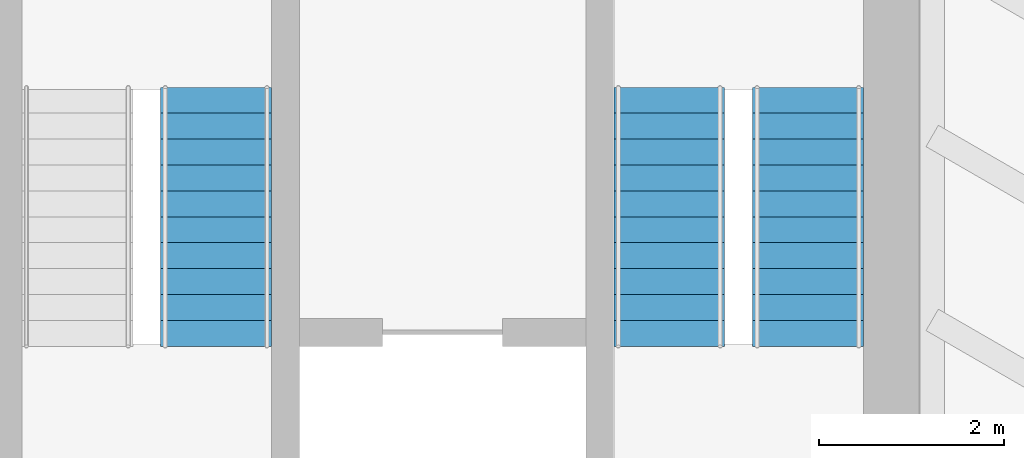
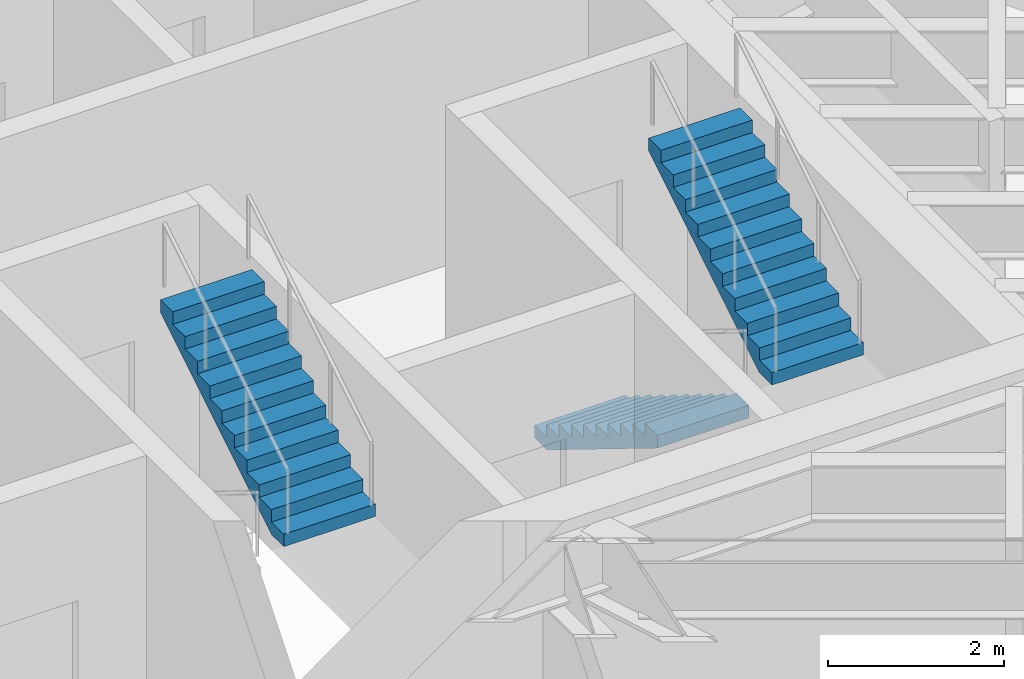
# One storey, part 13 of 14: 3 stair flights, 2 elements without a shape of their own.
"""IFC4 building model written with IfcOpenShell, lengths in metres."""

from ifc_helpers import new_model, si_unit, direction, frame, origin, place, context, subcontext, project, spatial, polyline, outline, extrude, material, type_object, element, aggregate, save


model = new_model("IFC4")

# Units and contexts
model_context = context("Model", 3, precision=1e-05, world=origin(), true_north=direction((0.0, 1.0)))
body_context = subcontext(model_context, "Body", "Model", "MODEL_VIEW")
ifc_project = project(units=[si_unit("LENGTHUNIT", "METRE"), si_unit("AREAUNIT", "SQUARE_METRE"), si_unit("VOLUMEUNIT", "CUBIC_METRE"), si_unit("PLANEANGLEUNIT", "RADIAN"), si_unit("MASSUNIT", "GRAM", prefix="KILO")], contexts=[model_context])

# Site, building, storey
site_placement = place(None, origin())
site = spatial("IfcSite", under=ifc_project, at=site_placement, CompositionType="ELEMENT")
building_placement = place(site_placement, origin())
building = spatial("IfcBuilding", under=site, at=building_placement, Name="Sandreach Pilgrim Tower", CompositionType="ELEMENT")
storey_placement = place(building_placement, frame((0.0, 0.0, 295.0)))
storey = spatial("IfcBuildingStorey", under=building, at=storey_placement, Name="L74", CompositionType="ELEMENT", Elevation=295.0)

# Stair, stair flight
ifc_material_1 = material(Name="Concrete 8000 psi", Category="concrete")
stair_type = type_object("IfcStairType", Name="Core exit stair", PredefinedType="HALF_TURN_STAIR", material=ifc_material_1)
stair_1_placement = place(storey_placement, origin())
stair_1 = element("IfcStair", 1, at=stair_1_placement, inside=storey, type_object=stair_type, Name="Exit stair ST3 L74", PredefinedType="HALF_TURN_STAIR")
ifc_material_2 = material(Name="Concrete 8000 psi", Category="concrete")
stair_flight_type = type_object("IfcStairFlightType", Name="Core stair flight 1200", PredefinedType="STRAIGHT", material=ifc_material_2)
stair_flight_1_placement = place(storey_placement, frame((0.75, -3.199951171875, 1.89990234375), z_axis=(0.0, 0.0, 1.0), x_axis=(0.0, 1.0, 0.0)))
stair_flight_1 = element("IfcStairFlight", 2, at=stair_flight_1_placement, type_object=stair_flight_type, Name="ST3 flight 2", NumberOfRisers=11, NumberOfTreads=10, PredefinedType="STRAIGHT", RiserHeight=0.172727273, TreadLength=0.28, context=body_context, shape_type="SweptSolid", body=[
    extrude(outline(polyline([(0.0, 0.0), (0.0, 0.172607421875), (0.280029296875, 0.172607421875), (0.280029296875, 0.345458984375), (0.56005859375, 0.345458984375), (0.56005859375, 0.51806640625), (0.840087890625, 0.51806640625), (0.840087890625, 0.69091796875), (1.1201171875, 0.69091796875), (1.1201171875, 0.863525390625), (1.39990234375, 0.863525390625), (1.39990234375, 1.036376953125), (1.679931640625, 1.036376953125), (1.679931640625, 1.208984375), (1.9599609375, 1.208984375), (1.9599609375, 1.3818359375), (2.239990234375, 1.3818359375), (2.239990234375, 1.554443359375), (2.52001953125, 1.554443359375), (2.52001953125, 1.727294921875), (2.800048828125, 1.727294921875), (2.800048828125, 1.89990234375), (2.800048828125, 1.551025390625), (0.285400390625, 0.0), (0.0, 0.0)])), frame((0.0, 0.60009765625, 0.0), z_axis=(0.0, -1.0, 0.0), x_axis=(1.0, 0.0, 0.0)), (0.0, 0.0, 1.0), 1.199951171875),
])
aggregate(stair_1, [stair_flight_1])

# Stair, stair flights
stair_2_placement = place(storey_placement, origin())
stair_2 = element("IfcStair", 3, at=stair_2_placement, inside=storey, type_object=stair_type, Name="Exit stair ST2 L74", PredefinedType="HALF_TURN_STAIR")
stair_flight_2_placement = place(storey_placement, frame((5.64990234375, -0.39990234375, 0.0), z_axis=(0.0, 0.0, 1.0), x_axis=(0.0, -1.0, 0.0)))
stair_flight_2 = element("IfcStairFlight", 4, at=stair_flight_2_placement, type_object=stair_flight_type, Name="ST2 flight 1", NumberOfRisers=11, NumberOfTreads=10, PredefinedType="STRAIGHT", RiserHeight=0.172727273, TreadLength=0.28, context=body_context, shape_type="SweptSolid", body=[
    extrude(outline(polyline([(0.0, 0.0), (0.0, 0.172607421875), (0.280029296875, 0.172607421875), (0.280029296875, 0.345458984375), (0.56005859375, 0.345458984375), (0.56005859375, 0.51806640625), (0.840087890625, 0.51806640625), (0.840087890625, 0.69091796875), (1.1201171875, 0.69091796875), (1.1201171875, 0.863525390625), (1.39990234375, 0.863525390625), (1.39990234375, 1.036376953125), (1.679931640625, 1.036376953125), (1.679931640625, 1.208984375), (1.9599609375, 1.208984375), (1.9599609375, 1.3818359375), (2.239990234375, 1.3818359375), (2.239990234375, 1.554443359375), (2.52001953125, 1.554443359375), (2.52001953125, 1.727294921875), (2.800048828125, 1.727294921875), (2.800048828125, 1.89990234375), (2.800048828125, 1.551025390625), (0.285400390625, 0.0), (0.0, 0.0)])), frame((0.0, 0.60009765625, 0.0), z_axis=(0.0, -1.0, 0.0), x_axis=(1.0, 0.0, 0.0)), (0.0, 0.0, 1.0), 1.199951171875),
])
stair_flight_3_placement = place(storey_placement, frame((7.14990234375, -3.199951171875, 1.89990234375), z_axis=(0.0, 0.0, 1.0), x_axis=(0.0, 1.0, 0.0)))
stair_flight_3 = element("IfcStairFlight", 5, at=stair_flight_3_placement, type_object=stair_flight_type, Name="ST2 flight 2", NumberOfRisers=11, NumberOfTreads=10, PredefinedType="STRAIGHT", RiserHeight=0.172727273, TreadLength=0.28, context=body_context, shape_type="SweptSolid", body=[
    extrude(outline(polyline([(0.0, 0.0), (0.0, 0.172607421875), (0.280029296875, 0.172607421875), (0.280029296875, 0.345458984375), (0.56005859375, 0.345458984375), (0.56005859375, 0.51806640625), (0.840087890625, 0.51806640625), (0.840087890625, 0.69091796875), (1.1201171875, 0.69091796875), (1.1201171875, 0.863525390625), (1.39990234375, 0.863525390625), (1.39990234375, 1.036376953125), (1.679931640625, 1.036376953125), (1.679931640625, 1.208984375), (1.9599609375, 1.208984375), (1.9599609375, 1.3818359375), (2.239990234375, 1.3818359375), (2.239990234375, 1.554443359375), (2.52001953125, 1.554443359375), (2.52001953125, 1.727294921875), (2.800048828125, 1.727294921875), (2.800048828125, 1.89990234375), (2.800048828125, 1.551025390625), (0.285400390625, 0.0), (0.0, 0.0)])), frame((0.0, 0.60009765625, 0.0), z_axis=(0.0, -1.0, 0.0), x_axis=(1.0, 0.0, 0.0)), (0.0, 0.0, 1.0), 1.199951171875),
])
aggregate(stair_2, [stair_flight_2, stair_flight_3])

save(model, "model.ifc")
